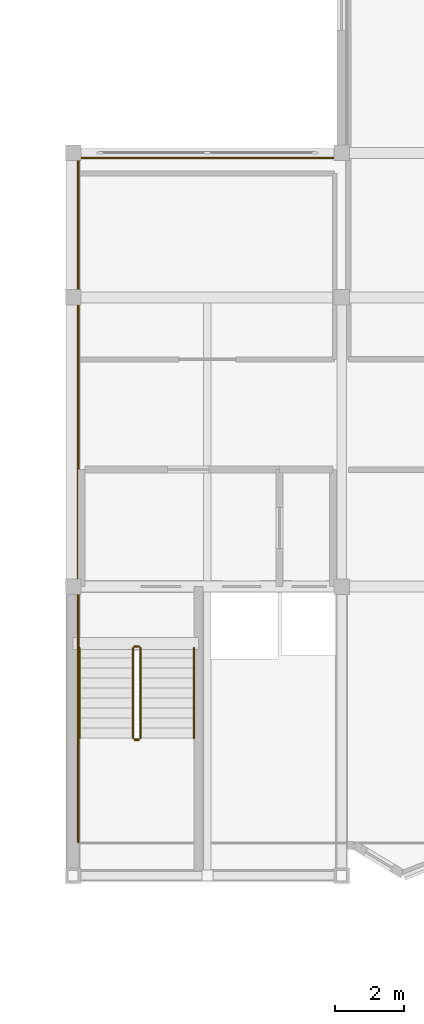
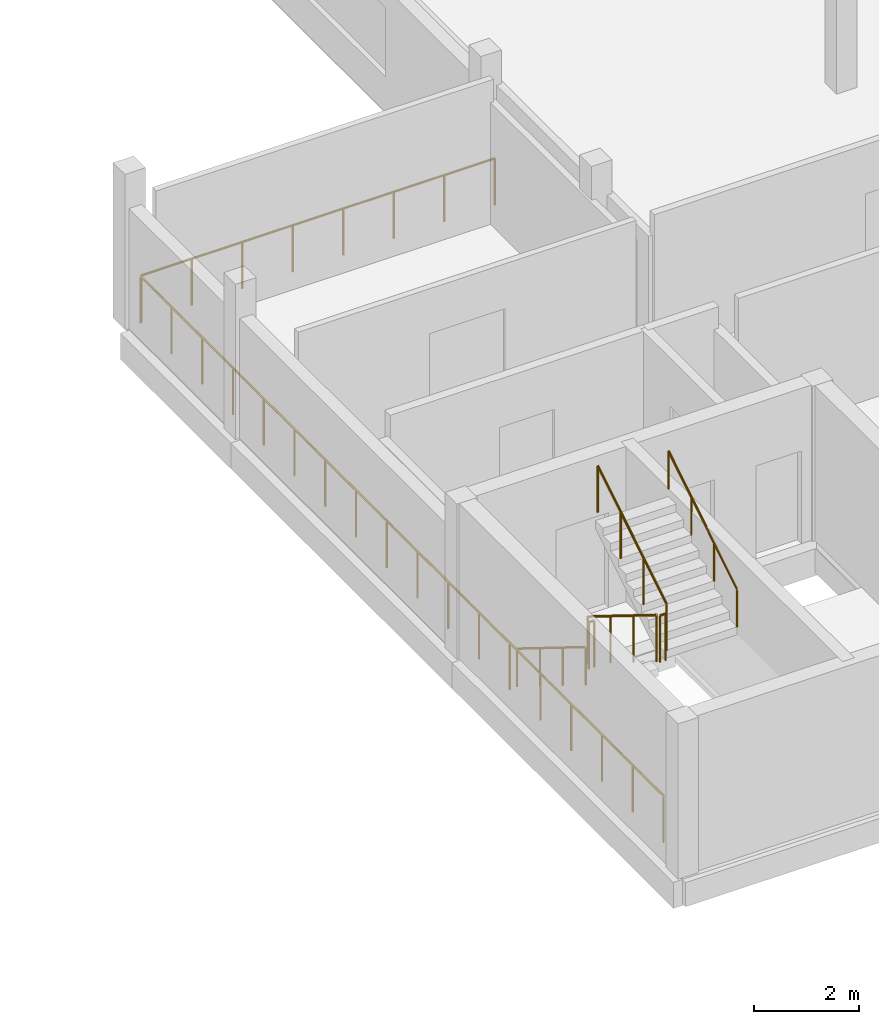
# One storey, part 22 of 25: 8 railings.
"""IFC4 building model written with IfcOpenShell, lengths in metres."""

from ifc_helpers import new_model, si_unit, direction, frame, origin, origin_2d, place, context, subcontext, project, spatial, circle, extrude, material, type_object, element, save


model = new_model("IFC4")

# Units and contexts
model_context = context("Model", 3, precision=1e-05, world=origin(), true_north=direction((0.0, 1.0)))
body_context = subcontext(model_context, "Body", "Model", "MODEL_VIEW")
ifc_project = project(units=[si_unit("LENGTHUNIT", "METRE"), si_unit("AREAUNIT", "SQUARE_METRE"), si_unit("VOLUMEUNIT", "CUBIC_METRE"), si_unit("PLANEANGLEUNIT", "RADIAN"), si_unit("MASSUNIT", "GRAM", prefix="KILO")], contexts=[model_context])

# Site, building, storey
site_placement = place(None, origin())
site = spatial("IfcSite", under=ifc_project, at=site_placement, CompositionType="ELEMENT")
building_placement = place(site_placement, origin())
building = spatial("IfcBuilding", under=site, at=building_placement, Name="Vharandega Faculty of Natural Sciences", CompositionType="ELEMENT")
storey_placement = place(building_placement, frame((0.0, 0.0, 25.199951171875)))
storey = spatial("IfcBuildingStorey", under=building, at=storey_placement, Name="L06", CompositionType="ELEMENT", Elevation=25.199951171875)

# Railings
ifc_material_1 = material(Name="Brushed stainless steel handrail", Category="steel")
railing_type_1 = type_object("IfcRailingType", Name="Stair Tubular Handrail 900", PredefinedType="HANDRAIL", material=ifc_material_1)
railing_1_placement = place(storey_placement, frame((114.989990234375, 70.610107421875, 0.179931640625)))
element("IfcRailing", 1, at=railing_1_placement, inside=storey, type_object=railing_type_1, Name="L06 ST1 stair handrail 1", PredefinedType="HANDRAIL", context=body_context, shape_type="SweptSolid", body=[
    extrude(circle(Radius=0.02392578125, at=origin_2d()), frame((0.0, 0.0, 0.8759765625), z_axis=(0.0, -0.849632798774, 0.527374731332), x_axis=(1.0, 0.0, 0.0)), (0.0, 0.0, 1.0), 3.072021484375),
    extrude(circle(Radius=0.02099609375, at=origin_2d()), origin(), (0.0, 0.0, 1.0), 0.851806640625),
    extrude(circle(Radius=0.02099609375, at=origin_2d()), frame((0.0, -0.8701171875, 0.5400390625)), (0.0, 0.0, 1.0), 0.851806640625),
    extrude(circle(Radius=0.02099609375, at=origin_2d()), frame((0.0, -1.739990234375, 1.080078125)), (0.0, 0.0, 1.0), 0.851806640625),
    extrude(circle(Radius=0.02099609375, at=origin_2d()), frame((0.0, -2.610107421875, 1.6201171875)), (0.0, 0.0, 1.0), 0.851806640625),
])
railing_2_placement = place(storey_placement, frame((118.31005859375, 68.0, 1.97998046875)))
element("IfcRailing", 2, at=railing_2_placement, inside=storey, type_object=railing_type_1, Name="L06 ST1 stair handrail 2", PredefinedType="HANDRAIL", context=body_context, shape_type="SweptSolid", body=[
    extrude(circle(Radius=0.02392578125, at=origin_2d()), frame((0.0, 0.0, 0.8759765625), z_axis=(0.0, 0.849632798774, 0.527374731332), x_axis=(-1.0, 0.0, 0.0)), (0.0, 0.0, 1.0), 3.072021484375),
    extrude(circle(Radius=0.02099609375, at=origin_2d()), origin(), (0.0, 0.0, 1.0), 0.851806640625),
    extrude(circle(Radius=0.02099609375, at=origin_2d()), frame((0.0, 0.8701171875, 0.5400390625)), (0.0, 0.0, 1.0), 0.851806640625),
    extrude(circle(Radius=0.02099609375, at=origin_2d()), frame((0.0, 1.739990234375, 1.080078125)), (0.0, 0.0, 1.0), 0.851806640625),
    extrude(circle(Radius=0.02099609375, at=origin_2d()), frame((0.0, 2.610107421875, 1.6201171875)), (0.0, 0.0, 1.0), 0.851806640625),
])
ifc_material_2 = material(Name="Painted steel stair guardrail", Category="steel")
railing_type_2 = type_object("IfcRailingType", Name="Stairwell Steel Guardrail 1100", PredefinedType="GUARDRAIL", material=ifc_material_2)
railing_3_placement = place(storey_placement, frame((116.5400390625, 70.610107421875, 0.179931640625)))
element("IfcRailing", 3, at=railing_3_placement, inside=storey, type_object=railing_type_2, Name="L06 ST1 stair guard 1", PredefinedType="GUARDRAIL", context=body_context, shape_type="SweptSolid", body=[
    extrude(circle(Radius=0.02392578125, at=origin_2d()), frame((0.0, 0.0, 1.076171875), z_axis=(0.0, -0.849632798774, 0.527374731332), x_axis=(1.0, 0.0, 0.0)), (0.0, 0.0, 1.0), 3.072021484375),
    extrude(circle(Radius=0.02099609375, at=origin_2d()), origin(), (0.0, 0.0, 1.0), 1.052001953125),
    extrude(circle(Radius=0.02099609375, at=origin_2d()), frame((0.0, -0.8701171875, 0.5400390625)), (0.0, 0.0, 1.0), 1.052001953125),
    extrude(circle(Radius=0.02099609375, at=origin_2d()), frame((0.0, -1.739990234375, 1.080078125)), (0.0, 0.0, 1.0), 1.052001953125),
    extrude(circle(Radius=0.02099609375, at=origin_2d()), frame((0.0, -2.610107421875, 1.6201171875)), (0.0, 0.0, 1.0), 1.052001953125),
])
railing_4_placement = place(storey_placement, frame((116.590087890625, 67.949951171875, 1.800048828125)))
element("IfcRailing", 4, at=railing_4_placement, inside=storey, type_object=railing_type_2, Name="L06 ST1 stair guard 2", PredefinedType="GUARDRAIL", context=body_context, shape_type="SweptSolid", body=[
    extrude(circle(Radius=0.02392578125, at=origin_2d()), frame((0.0, 0.0, 1.076171875), z_axis=(1.0, 0.0, 0.0), x_axis=(0.0, 1.0, 0.0)), (0.0, 0.0, 1.0), 0.119873046875),
    extrude(circle(Radius=0.02099609375, at=origin_2d()), origin(), (0.0, 0.0, 1.0), 1.052001953125),
    extrude(circle(Radius=0.02099609375, at=origin_2d()), frame((0.119873046875, 0.0, 0.0)), (0.0, 0.0, 1.0), 1.052001953125),
])
railing_5_placement = place(storey_placement, frame((116.760009765625, 68.0, 1.97998046875)))
element("IfcRailing", 5, at=railing_5_placement, inside=storey, type_object=railing_type_2, Name="L06 ST1 stair guard 3", PredefinedType="GUARDRAIL", context=body_context, shape_type="SweptSolid", body=[
    extrude(circle(Radius=0.02392578125, at=origin_2d()), frame((0.0, 0.0, 1.076171875), z_axis=(0.0, 0.849632798774, 0.527374731332), x_axis=(-1.0, 0.0, 0.0)), (0.0, 0.0, 1.0), 3.072021484375),
    extrude(circle(Radius=0.02099609375, at=origin_2d()), origin(), (0.0, 0.0, 1.0), 1.052001953125),
    extrude(circle(Radius=0.02099609375, at=origin_2d()), frame((0.0, 0.8701171875, 0.5400390625)), (0.0, 0.0, 1.0), 1.052001953125),
    extrude(circle(Radius=0.02099609375, at=origin_2d()), frame((0.0, 1.739990234375, 1.080078125)), (0.0, 0.0, 1.0), 1.052001953125),
    extrude(circle(Radius=0.02099609375, at=origin_2d()), frame((0.0, 2.610107421875, 1.6201171875)), (0.0, 0.0, 1.0), 1.052001953125),
])
railing_6_placement = place(storey_placement, frame((116.590087890625, 70.659912109375, 0.0)))
element("IfcRailing", 6, at=railing_6_placement, inside=storey, type_object=railing_type_2, Name="L06 ST1 stair guard 4", PredefinedType="GUARDRAIL", context=body_context, shape_type="SweptSolid", body=[
    extrude(circle(Radius=0.02392578125, at=origin_2d()), frame((0.0, 0.0, 1.076171875), z_axis=(1.0, 0.0, 0.0), x_axis=(0.0, 1.0, 0.0)), (0.0, 0.0, 1.0), 0.119873046875),
    extrude(circle(Radius=0.02099609375, at=origin_2d()), origin(), (0.0, 0.0, 1.0), 1.052001953125),
    extrude(circle(Radius=0.02099609375, at=origin_2d()), frame((0.119873046875, 0.0, 0.0)), (0.0, 0.0, 1.0), 1.052001953125),
])
ifc_material_3 = material(Name="Galvanised painted steel balustrade", Category="steel")
railing_type_3 = type_object("IfcRailingType", Name="Terrace Steel Guardrail 1100", PredefinedType="GUARDRAIL", material=ifc_material_3)
railing_7_placement = place(storey_placement, frame((122.72509765625, 84.85009765625, 0.0)))
element("IfcRailing", 7, at=railing_7_placement, inside=storey, type_object=railing_type_3, Name="Perimeter Sill Guard L06 #5", PredefinedType="GUARDRAIL", context=body_context, shape_type="SweptSolid", body=[
    extrude(circle(Radius=0.02392578125, at=origin_2d()), frame((0.0, 0.0, 1.076171875), z_axis=(-1.0, 0.0, 0.0), x_axis=(0.0, -1.0, 0.0)), (0.0, 0.0, 1.0), 7.75),
    extrude(circle(Radius=0.02099609375, at=origin_2d()), origin(), (0.0, 0.0, 1.0), 1.052001953125),
    extrude(circle(Radius=0.02099609375, at=origin_2d()), frame((-1.107177734375, 0.0, 0.0)), (0.0, 0.0, 1.0), 1.052001953125),
    extrude(circle(Radius=0.02099609375, at=origin_2d()), frame((-2.21435546875, 0.0, 0.0)), (0.0, 0.0, 1.0), 1.052001953125),
    extrude(circle(Radius=0.02099609375, at=origin_2d()), frame((-3.321533203125, 0.0, 0.0)), (0.0, 0.0, 1.0), 1.052001953125),
    extrude(circle(Radius=0.02099609375, at=origin_2d()), frame((-4.428466796875, 0.0, 0.0)), (0.0, 0.0, 1.0), 1.052001953125),
    extrude(circle(Radius=0.02099609375, at=origin_2d()), frame((-5.53564453125, 0.0, 0.0)), (0.0, 0.0, 1.0), 1.052001953125),
    extrude(circle(Radius=0.02099609375, at=origin_2d()), frame((-6.642822265625, 0.0, 0.0)), (0.0, 0.0, 1.0), 1.052001953125),
    extrude(circle(Radius=0.02099609375, at=origin_2d()), frame((-7.75, 0.0, 0.0)), (0.0, 0.0, 1.0), 1.052001953125),
])
railing_8_placement = place(storey_placement, frame((114.949951171875, 84.824951171875, 0.0)))
element("IfcRailing", 8, at=railing_8_placement, inside=storey, type_object=railing_type_3, Name="Perimeter Sill Guard L06 #6", PredefinedType="GUARDRAIL", context=body_context, shape_type="SweptSolid", body=[
    extrude(circle(Radius=0.02392578125, at=origin_2d()), frame((0.0, 0.0, 1.076171875), z_axis=(0.0, -1.0, 0.0), x_axis=(1.0, 0.0, 0.0)), (0.0, 0.0, 1.0), 19.849853515625),
    extrude(circle(Radius=0.02099609375, at=origin_2d()), origin(), (0.0, 0.0, 1.0), 1.052001953125),
    extrude(circle(Radius=0.02099609375, at=origin_2d()), frame((0.0, -1.167724609375, 0.0)), (0.0, 0.0, 1.0), 1.052001953125),
    extrude(circle(Radius=0.02099609375, at=origin_2d()), frame((0.0, -2.335205078125, 0.0)), (0.0, 0.0, 1.0), 1.052001953125),
    extrude(circle(Radius=0.02099609375, at=origin_2d()), frame((0.0, -3.5029296875, 0.0)), (0.0, 0.0, 1.0), 1.052001953125),
    extrude(circle(Radius=0.02099609375, at=origin_2d()), frame((0.0, -4.670654296875, 0.0)), (0.0, 0.0, 1.0), 1.052001953125),
    extrude(circle(Radius=0.02099609375, at=origin_2d()), frame((0.0, -5.838134765625, 0.0)), (0.0, 0.0, 1.0), 1.052001953125),
    extrude(circle(Radius=0.02099609375, at=origin_2d()), frame((0.0, -7.005859375, 0.0)), (0.0, 0.0, 1.0), 1.052001953125),
    extrude(circle(Radius=0.02099609375, at=origin_2d()), frame((0.0, -8.173583984375, 0.0)), (0.0, 0.0, 1.0), 1.052001953125),
    extrude(circle(Radius=0.02099609375, at=origin_2d()), frame((0.0, -9.341064453125, 0.0)), (0.0, 0.0, 1.0), 1.052001953125),
    extrude(circle(Radius=0.02099609375, at=origin_2d()), frame((0.0, -10.5087890625, 0.0)), (0.0, 0.0, 1.0), 1.052001953125),
    extrude(circle(Radius=0.02099609375, at=origin_2d()), frame((0.0, -11.67626953125, 0.0)), (0.0, 0.0, 1.0), 1.052001953125),
    extrude(circle(Radius=0.02099609375, at=origin_2d()), frame((0.0, -12.843994140625, 0.0)), (0.0, 0.0, 1.0), 1.052001953125),
    extrude(circle(Radius=0.02099609375, at=origin_2d()), frame((0.0, -14.01171875, 0.0)), (0.0, 0.0, 1.0), 1.052001953125),
    extrude(circle(Radius=0.02099609375, at=origin_2d()), frame((0.0, -15.17919921875, 0.0)), (0.0, 0.0, 1.0), 1.052001953125),
    extrude(circle(Radius=0.02099609375, at=origin_2d()), frame((0.0, -16.346923828125, 0.0)), (0.0, 0.0, 1.0), 1.052001953125),
    extrude(circle(Radius=0.02099609375, at=origin_2d()), frame((0.0, -17.5146484375, 0.0)), (0.0, 0.0, 1.0), 1.052001953125),
    extrude(circle(Radius=0.02099609375, at=origin_2d()), frame((0.0, -18.68212890625, 0.0)), (0.0, 0.0, 1.0), 1.052001953125),
    extrude(circle(Radius=0.02099609375, at=origin_2d()), frame((0.0, -19.849853515625, 0.0)), (0.0, 0.0, 1.0), 1.052001953125),
])

save(model, "model.ifc")
